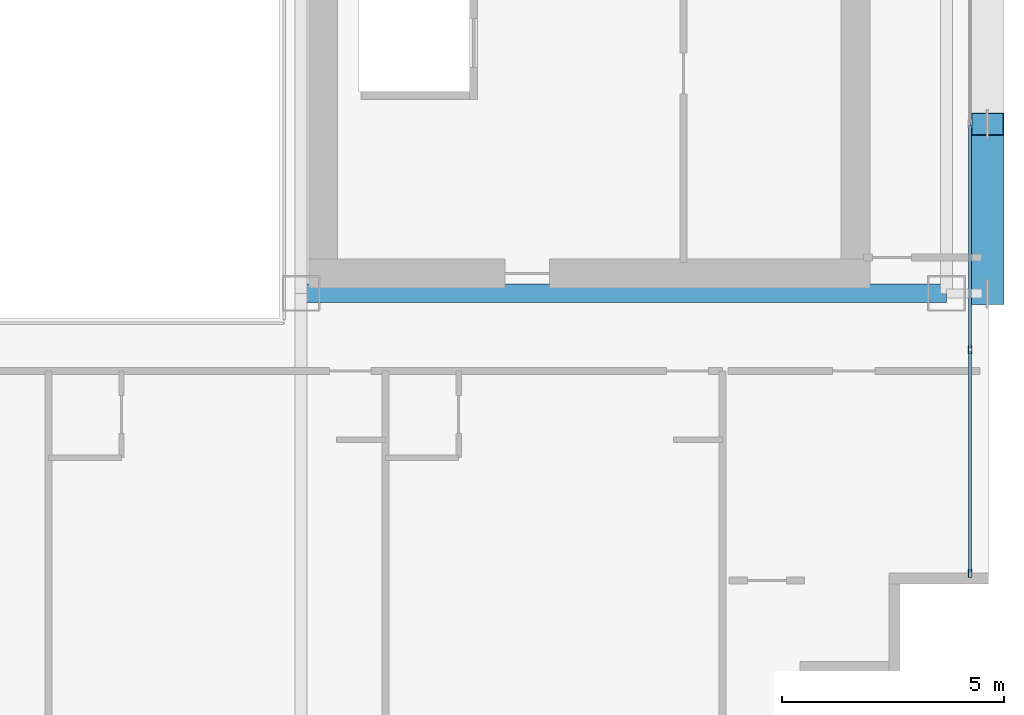
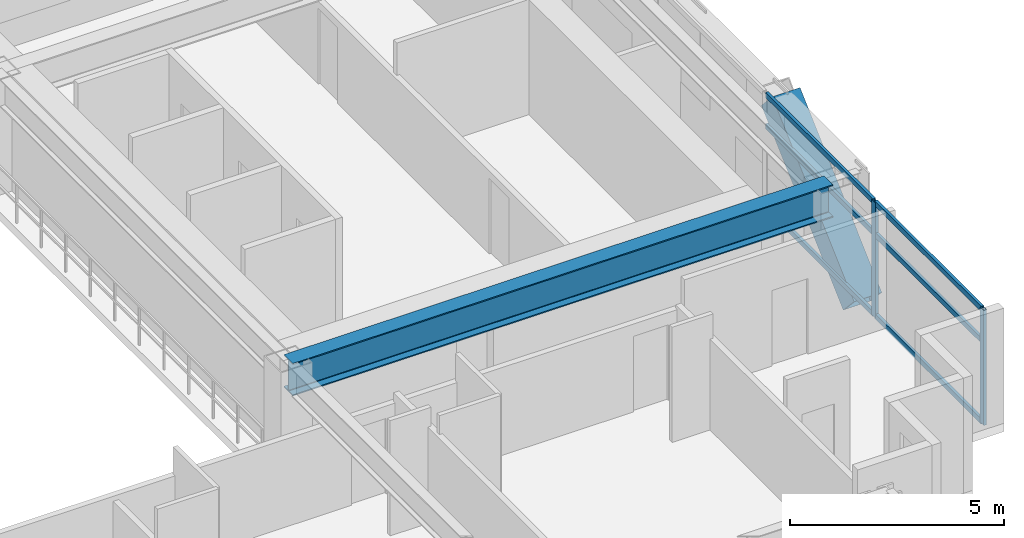
# One storey, part 11 of 36: 9 members, 1 beam, 1 element without a shape of its own.
"""IFC4 building model written with IfcOpenShell, lengths in metres."""

from ifc_helpers import new_model, si_unit, direction, frame, origin, origin_2d, place, context, subcontext, project, spatial, hollow_rectangle, i_section, extrude, source, transform, mapped, material, layer, layer_set, material_profile, profile_set, type_object, element, aggregate, save


model = new_model("IFC4")

# Units and contexts
model_context = context("Model", 3, precision=1e-05, world=origin(), true_north=direction((0.0, 1.0)))
body_context = subcontext(model_context, "Body", "Model", "MODEL_VIEW")
ifc_project = project(units=[si_unit("LENGTHUNIT", "METRE"), si_unit("AREAUNIT", "SQUARE_METRE"), si_unit("VOLUMEUNIT", "CUBIC_METRE"), si_unit("PLANEANGLEUNIT", "RADIAN"), si_unit("MASSUNIT", "GRAM", prefix="KILO")], contexts=[model_context])

# Site, building, storey
site_placement = place(None, origin())
site = spatial("IfcSite", under=ifc_project, at=site_placement, CompositionType="ELEMENT")
building_placement = place(site_placement, origin())
building = spatial("IfcBuilding", under=site, at=building_placement, Name="Ocotamira Hotel", CompositionType="ELEMENT")
storey_placement = place(building_placement, frame((0.0, 0.0, 147.60009765625)))
storey = spatial("IfcBuildingStorey", under=building, at=storey_placement, Name="L37", CompositionType="ELEMENT", Elevation=147.60009765625)

# Beam
ifc_material_1 = material(Name="Steel ASTM A992 Grade 50", Category="steel")
ifc_material_profile_1 = material_profile(ifc_material_1, i_section(OverallWidth=0.41796875, OverallDepth=0.927001953125, WebThickness=0.019287109375, FlangeThickness=0.031982421875, FilletRadius=0.02392578125, at=origin_2d()), Name="W36X231")
ifc_profile_set_1 = profile_set([ifc_material_profile_1], Name="Steel ASTM A992 Grade 50")
beam_type = type_object("IfcBeamType", Name="BM-GIRD-W36X231", PredefinedType="BEAM", material=ifc_profile_set_1)
shared_shape_1 = source(origin(), body_context, "Body", "SweptSolid", [
    extrude(i_section(OverallWidth=0.41796875, OverallDepth=0.927001953125, WebThickness=0.019287109375, FlangeThickness=0.031982421875, FilletRadius=0.02392578125, at=origin_2d()), origin(), (0.0, 0.0, 1.0), 14.550048828125),
])
beam_placement = place(storey_placement, frame((40.5, 14.550048828125, 2.81640625), z_axis=(1.0, 0.0, 0.0), x_axis=(0.0, 1.0, 0.0)))
element("IfcBeam", 1, at=beam_placement, inside=storey, type_object=beam_type, Name="L37 Girder Y14.55 X40.5-55.05", PredefinedType="BEAM", context=body_context, shape_type="MappedRepresentation", body=[
    mapped(shared_shape_1, transform((0.0, 0.0, 0.0), scale=1.0)),
])

# Member
ifc_material_2 = material(Name="Pale-metal coated steel ASTM A913 Grade 65", Category="steel")
ifc_material_profile_2 = material_profile(ifc_material_2, hollow_rectangle(XDim=0.75, YDim=0.75, WallThickness=0.028076171875, at=origin_2d()), Name="BOX750X750X28")
ifc_profile_set_2 = profile_set([ifc_material_profile_2], Name="Pale-metal coated steel ASTM A913 Grade 65")
member_type_1 = type_object("IfcMemberType", Name="MEM-EXO-BOX750", PredefinedType="BRACE", material=ifc_profile_set_2)
shared_shape_2 = source(origin(), body_context, "Body", "SweptSolid", [
    extrude(hollow_rectangle(XDim=0.75, YDim=0.75, WallThickness=0.028076171875, at=origin_2d()), origin(), (0.0, 0.0, 1.0), 5.19189453125),
])
member_1_placement = place(storey_placement, frame((55.969970703125, 14.550048828125, -0.489990234375), z_axis=(0.0, 0.735118858477, 0.677938244909), x_axis=(-1.0, 0.0, 0.0)))
element("IfcMember", 2, at=member_1_placement, inside=storey, type_object=member_type_1, Name="L37 Exoskeleton Diagrid E0.1", PredefinedType="BRACE", context=body_context, shape_type="MappedRepresentation", body=[
    mapped(shared_shape_2, transform((0.0, 0.0, 0.0), scale=1.0)),
])

# Curtain wall, members
ifc_material_3 = material(Name="Anodised pale-metal aluminium and solar glass", Category="aluminium")
ifc_layer = layer(ifc_material_3, 0.179931640625)
ifc_layer_set = layer_set([ifc_layer], Name="Anodised pale-metal aluminium and solar glass")
curtain_wall_type = type_object("IfcCurtainWallType", Name="CW-SYS3-Z2", PredefinedType="NOTDEFINED", material=ifc_layer_set)
curtain_wall_placement = place(storey_placement, origin())
curtain_wall = element("IfcCurtainWall", 3, at=curtain_wall_placement, inside=storey, type_object=curtain_wall_type, Name="L37 Curtain Wall CW-3 CW-L37-E", PredefinedType="NOTDEFINED")
ifc_material_4 = material(Name="Anodised pale-metal aluminium 6063-T6", Category="aluminium")
ifc_material_profile_3 = material_profile(ifc_material_4, hollow_rectangle(XDim=0.074951171875, YDim=0.14990234375, WallThickness=0.006103515625, at=origin_2d()), Name="HSS150X75X6")
ifc_profile_set_3 = profile_set([ifc_material_profile_3], Name="Anodised pale-metal aluminium 6063-T6")
member_type_2 = type_object("IfcMemberType", Name="CWT-150X75", PredefinedType="USERDEFINED", material=ifc_profile_set_3)
shared_shape_3 = source(origin(), body_context, "Body", "SweptSolid", [
    extrude(hollow_rectangle(XDim=0.074951171875, YDim=0.14990234375, WallThickness=0.006103515625, at=origin_2d()), origin(), (0.0, 0.0, 1.0), 4.965576171875),
])
member_2_placement = place(storey_placement, frame((55.580078125, 8.280029296875, 0.037353515625), z_axis=(0.0, 1.0, 0.0), x_axis=(-1.0, 0.0, 0.0)))
member_2 = element("IfcMember", 4, at=member_2_placement, type_object=member_type_2, Name="CW-3 transom 1.1", ObjectType="TRANSOM", PredefinedType="USERDEFINED", context=body_context, shape_type="MappedRepresentation", body=[
    mapped(shared_shape_3, transform((0.0, 0.0, 0.0), scale=1.0)),
])
member_3_placement = place(storey_placement, frame((55.580078125, 8.280029296875, 2.349853515625), z_axis=(0.0, 1.0, 0.0), x_axis=(-1.0, 0.0, 0.0)))
member_3 = element("IfcMember", 5, at=member_3_placement, type_object=member_type_2, Name="CW-3 transom 1.2", ObjectType="TRANSOM", PredefinedType="USERDEFINED", context=body_context, shape_type="MappedRepresentation", body=[
    mapped(shared_shape_3, transform((0.0, 0.0, 0.0), scale=1.0)),
])
member_4_placement = place(storey_placement, frame((55.580078125, 8.280029296875, 3.242431640625), z_axis=(0.0, 1.0, 0.0), x_axis=(-1.0, 0.0, 0.0)))
member_4 = element("IfcMember", 6, at=member_4_placement, type_object=member_type_2, Name="CW-3 transom 1.3", ObjectType="TRANSOM", PredefinedType="USERDEFINED", context=body_context, shape_type="MappedRepresentation", body=[
    mapped(shared_shape_3, transform((0.0, 0.0, 0.0), scale=1.0)),
])
shared_shape_4 = source(origin(), body_context, "Body", "SweptSolid", [
    extrude(hollow_rectangle(XDim=0.074951171875, YDim=0.14990234375, WallThickness=0.006103515625, at=origin_2d()), origin(), (0.0, 0.0, 1.0), 5.005859375),
])
member_5_placement = place(storey_placement, frame((55.580078125, 13.32568359375, 0.037353515625), z_axis=(0.0, 1.0, 0.0), x_axis=(-1.0, 0.0, 0.0)))
member_5 = element("IfcMember", 7, at=member_5_placement, type_object=member_type_2, Name="CW-3 transom 2.1", ObjectType="TRANSOM", PredefinedType="USERDEFINED", context=body_context, shape_type="MappedRepresentation", body=[
    mapped(shared_shape_4, transform((0.0, 0.0, 0.0), scale=1.0)),
])
member_6_placement = place(storey_placement, frame((55.580078125, 13.32568359375, 2.349853515625), z_axis=(0.0, 1.0, 0.0), x_axis=(-1.0, 0.0, 0.0)))
member_6 = element("IfcMember", 8, at=member_6_placement, type_object=member_type_2, Name="CW-3 transom 2.2", ObjectType="TRANSOM", PredefinedType="USERDEFINED", context=body_context, shape_type="MappedRepresentation", body=[
    mapped(shared_shape_4, transform((0.0, 0.0, 0.0), scale=1.0)),
])
member_7_placement = place(storey_placement, frame((55.580078125, 13.32568359375, 3.242431640625), z_axis=(0.0, 1.0, 0.0), x_axis=(-1.0, 0.0, 0.0)))
member_7 = element("IfcMember", 9, at=member_7_placement, type_object=member_type_2, Name="CW-3 transom 2.3", ObjectType="TRANSOM", PredefinedType="USERDEFINED", context=body_context, shape_type="MappedRepresentation", body=[
    mapped(shared_shape_4, transform((0.0, 0.0, 0.0), scale=1.0)),
])
ifc_material_profile_4 = material_profile(ifc_material_4, hollow_rectangle(XDim=0.080078125, YDim=0.179931640625, WallThickness=0.006103515625, at=origin_2d()), Name="HSS180X80X6")
ifc_profile_set_4 = profile_set([ifc_material_profile_4], Name="Anodised pale-metal aluminium 6063-T6")
member_type_3 = type_object("IfcMemberType", Name="CWM-180X75", PredefinedType="MULLION", material=ifc_profile_set_4)
shared_shape_5 = source(origin(), body_context, "Body", "SweptSolid", [
    extrude(hollow_rectangle(XDim=0.080078125, YDim=0.179931640625, WallThickness=0.006103515625, at=origin_2d()), origin(), (0.0, 0.0, 1.0), 3.27978515625),
])
member_8_placement = place(storey_placement, frame((55.580078125, 8.239990234375, 0.0), z_axis=(0.0, 0.0, 1.0), x_axis=(-1.0, 0.0, 0.0)))
member_8 = element("IfcMember", 10, at=member_8_placement, type_object=member_type_3, Name="CW-3 mullion 1", PredefinedType="MULLION", context=body_context, shape_type="MappedRepresentation", body=[
    mapped(shared_shape_5, transform((0.0, 0.0, 0.0), scale=1.0)),
])
member_9_placement = place(storey_placement, frame((55.580078125, 13.28564453125, 0.0), z_axis=(0.0, 0.0, 1.0), x_axis=(-1.0, 0.0, 0.0)))
member_9 = element("IfcMember", 11, at=member_9_placement, type_object=member_type_3, Name="CW-3 mullion 2", PredefinedType="MULLION", context=body_context, shape_type="MappedRepresentation", body=[
    mapped(shared_shape_5, transform((0.0, 0.0, 0.0), scale=1.0)),
])
aggregate(curtain_wall, [member_8, member_9, member_2, member_3, member_4, member_5, member_6, member_7])

save(model, "model.ifc")
